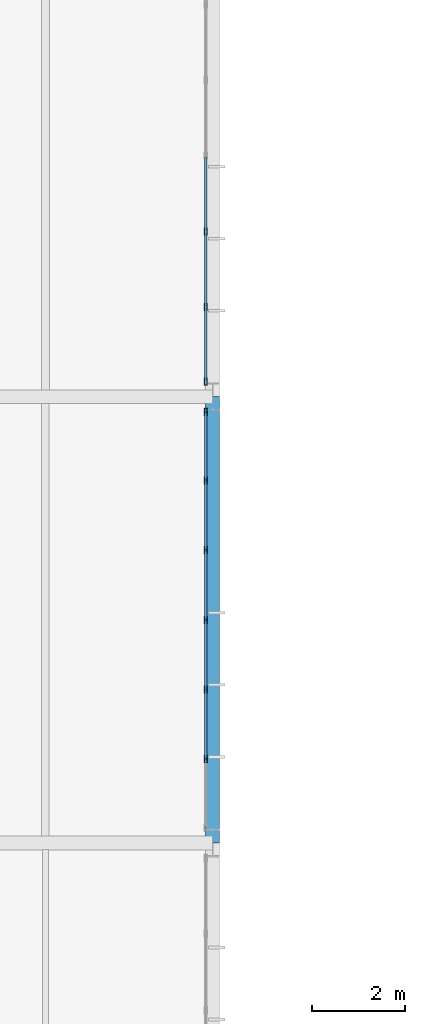
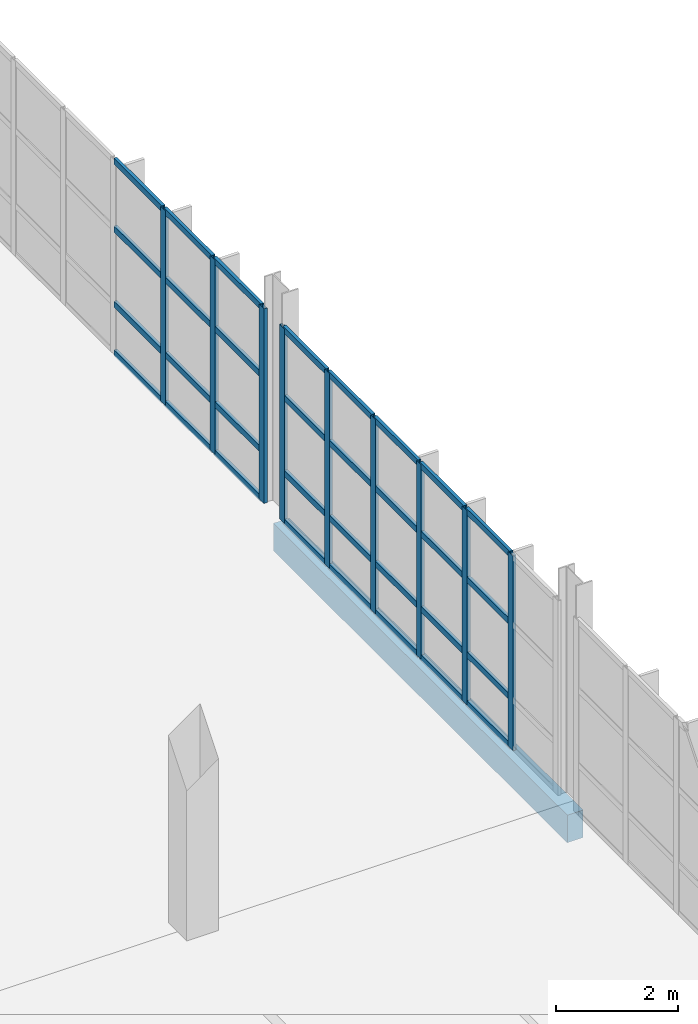
# One storey, part 94 of 130: 41 members, 1 beam, 2 elements without a shape of their own.
"""IFC4 building model written with IfcOpenShell, lengths in metres."""

from ifc_helpers import new_model, si_unit, direction, frame, origin, origin_2d, place, context, subcontext, project, spatial, rectangle, hollow_rectangle, extrude, material, material_profile, profile_set, type_object, element, aggregate, save


model = new_model("IFC4")

# Units and contexts
model_context = context("Model", 3, precision=1e-05, world=origin(), true_north=direction((0.0, 1.0)))
body_context = subcontext(model_context, "Body", "Model", "MODEL_VIEW")
ifc_project = project(units=[si_unit("LENGTHUNIT", "METRE"), si_unit("AREAUNIT", "SQUARE_METRE"), si_unit("VOLUMEUNIT", "CUBIC_METRE"), si_unit("PLANEANGLEUNIT", "RADIAN"), si_unit("MASSUNIT", "GRAM", prefix="KILO")], contexts=[model_context])

# Site, building, storey
site_placement = place(None, origin())
site = spatial("IfcSite", under=ifc_project, at=site_placement, CompositionType="ELEMENT")
building_placement = place(site_placement, origin())
building = spatial("IfcBuilding", under=site, at=building_placement, Name="Veltarok Museum of Natural Sciences", CompositionType="ELEMENT")
storey_placement = place(building_placement, frame((0.0, 0.0, 12.89990234375)))
storey = spatial("IfcBuildingStorey", under=building, at=storey_placement, Name="L02", CompositionType="ELEMENT", Elevation=12.89990234375)

# Curtain wall, members
ifc_material_1 = material(Name="Low-iron triple insulated glass", Category="glass")
curtain_wall_type_1 = type_object("IfcCurtainWallType", Name="Curtain Wall System CW-V5E-L02-D-900x388 (V5 East Lab L02 D-E 900x388cm)", PredefinedType="NOTDEFINED", material=ifc_material_1)
curtain_wall_1_placement = place(storey_placement, origin())
curtain_wall_1 = element("IfcCurtainWall", 1, at=curtain_wall_1_placement, inside=storey, type_object=curtain_wall_type_1, Name="Curtain Wall CW-V5E-L02-D-900x388 CW-0111", PredefinedType="NOTDEFINED")
ifc_material_2 = material(Name="Thermally broken anodised aluminium", Category="aluminium")
ifc_material_profile_1 = material_profile(ifc_material_2, hollow_rectangle(XDim=0.06005859375, YDim=0.1201171875, WallThickness=0.0048828125, at=origin_2d()), Name="CW TRANSOM 60x120x5")
ifc_profile_set_1 = profile_set([ifc_material_profile_1], Name="Thermally broken anodised aluminium")
member_type_1 = type_object("IfcMemberType", Name="Curtain Wall Horizontal Transom 60x120x5", PredefinedType="USERDEFINED", material=ifc_profile_set_1)
member_1_placement = place(storey_placement, frame((164.64990234375, 28.22998046875, 0.030029296875), z_axis=(0.0, 1.0, 0.0), x_axis=(-1.0, 0.0, 0.0)))
member_1 = element("IfcMember", 2, at=member_1_placement, type_object=member_type_1, Name="CW-V5E-L02-D-900x388 transom 2.1", ObjectType="TRANSOM", PredefinedType="USERDEFINED", context=body_context, shape_type="SweptSolid", body=[
    extrude(hollow_rectangle(XDim=0.06005859375, YDim=0.1201171875, WallThickness=0.0048828125, at=origin_2d()), origin(), (0.0, 0.0, 1.0), 1.43994140625),
])
member_2_placement = place(storey_placement, frame((164.64990234375, 28.22998046875, 1.0), z_axis=(0.0, 1.0, 0.0), x_axis=(-1.0, 0.0, 0.0)))
member_2 = element("IfcMember", 3, at=member_2_placement, type_object=member_type_1, Name="CW-V5E-L02-D-900x388 transom 2.2", ObjectType="TRANSOM", PredefinedType="USERDEFINED", context=body_context, shape_type="SweptSolid", body=[
    extrude(hollow_rectangle(XDim=0.06005859375, YDim=0.1201171875, WallThickness=0.0048828125, at=origin_2d()), origin(), (0.0, 0.0, 1.0), 1.43994140625),
])
member_3_placement = place(storey_placement, frame((164.64990234375, 28.22998046875, 2.5), z_axis=(0.0, 1.0, 0.0), x_axis=(-1.0, 0.0, 0.0)))
member_3 = element("IfcMember", 4, at=member_3_placement, type_object=member_type_1, Name="CW-V5E-L02-D-900x388 transom 2.3", ObjectType="TRANSOM", PredefinedType="USERDEFINED", context=body_context, shape_type="SweptSolid", body=[
    extrude(hollow_rectangle(XDim=0.06005859375, YDim=0.1201171875, WallThickness=0.0048828125, at=origin_2d()), origin(), (0.0, 0.0, 1.0), 1.43994140625),
])
member_4_placement = place(storey_placement, frame((164.64990234375, 28.22998046875, 3.85009765625), z_axis=(0.0, 1.0, 0.0), x_axis=(-1.0, 0.0, 0.0)))
member_4 = element("IfcMember", 5, at=member_4_placement, type_object=member_type_1, Name="CW-V5E-L02-D-900x388 transom 2.4", ObjectType="TRANSOM", PredefinedType="USERDEFINED", context=body_context, shape_type="SweptSolid", body=[
    extrude(hollow_rectangle(XDim=0.06005859375, YDim=0.1201171875, WallThickness=0.0048828125, at=origin_2d()), origin(), (0.0, 0.0, 1.0), 1.43994140625),
])
member_5_placement = place(storey_placement, frame((164.64990234375, 29.72998046875, 0.030029296875), z_axis=(0.0, 1.0, 0.0), x_axis=(-1.0, 0.0, 0.0)))
member_5 = element("IfcMember", 6, at=member_5_placement, type_object=member_type_1, Name="CW-V5E-L02-D-900x388 transom 3.1", ObjectType="TRANSOM", PredefinedType="USERDEFINED", context=body_context, shape_type="SweptSolid", body=[
    extrude(hollow_rectangle(XDim=0.06005859375, YDim=0.1201171875, WallThickness=0.0048828125, at=origin_2d()), origin(), (0.0, 0.0, 1.0), 1.43994140625),
])
member_6_placement = place(storey_placement, frame((164.64990234375, 29.72998046875, 1.0), z_axis=(0.0, 1.0, 0.0), x_axis=(-1.0, 0.0, 0.0)))
member_6 = element("IfcMember", 7, at=member_6_placement, type_object=member_type_1, Name="CW-V5E-L02-D-900x388 transom 3.2", ObjectType="TRANSOM", PredefinedType="USERDEFINED", context=body_context, shape_type="SweptSolid", body=[
    extrude(hollow_rectangle(XDim=0.06005859375, YDim=0.1201171875, WallThickness=0.0048828125, at=origin_2d()), origin(), (0.0, 0.0, 1.0), 1.43994140625),
])
member_7_placement = place(storey_placement, frame((164.64990234375, 29.72998046875, 2.5), z_axis=(0.0, 1.0, 0.0), x_axis=(-1.0, 0.0, 0.0)))
member_7 = element("IfcMember", 8, at=member_7_placement, type_object=member_type_1, Name="CW-V5E-L02-D-900x388 transom 3.3", ObjectType="TRANSOM", PredefinedType="USERDEFINED", context=body_context, shape_type="SweptSolid", body=[
    extrude(hollow_rectangle(XDim=0.06005859375, YDim=0.1201171875, WallThickness=0.0048828125, at=origin_2d()), origin(), (0.0, 0.0, 1.0), 1.43994140625),
])
member_8_placement = place(storey_placement, frame((164.64990234375, 29.72998046875, 3.85009765625), z_axis=(0.0, 1.0, 0.0), x_axis=(-1.0, 0.0, 0.0)))
member_8 = element("IfcMember", 9, at=member_8_placement, type_object=member_type_1, Name="CW-V5E-L02-D-900x388 transom 3.4", ObjectType="TRANSOM", PredefinedType="USERDEFINED", context=body_context, shape_type="SweptSolid", body=[
    extrude(hollow_rectangle(XDim=0.06005859375, YDim=0.1201171875, WallThickness=0.0048828125, at=origin_2d()), origin(), (0.0, 0.0, 1.0), 1.43994140625),
])
member_9_placement = place(storey_placement, frame((164.64990234375, 31.22998046875, 0.030029296875), z_axis=(0.0, 1.0, 0.0), x_axis=(-1.0, 0.0, 0.0)))
member_9 = element("IfcMember", 10, at=member_9_placement, type_object=member_type_1, Name="CW-V5E-L02-D-900x388 transom 4.1", ObjectType="TRANSOM", PredefinedType="USERDEFINED", context=body_context, shape_type="SweptSolid", body=[
    extrude(hollow_rectangle(XDim=0.06005859375, YDim=0.1201171875, WallThickness=0.0048828125, at=origin_2d()), origin(), (0.0, 0.0, 1.0), 1.43994140625),
])
member_10_placement = place(storey_placement, frame((164.64990234375, 31.22998046875, 1.0), z_axis=(0.0, 1.0, 0.0), x_axis=(-1.0, 0.0, 0.0)))
member_10 = element("IfcMember", 11, at=member_10_placement, type_object=member_type_1, Name="CW-V5E-L02-D-900x388 transom 4.2", ObjectType="TRANSOM", PredefinedType="USERDEFINED", context=body_context, shape_type="SweptSolid", body=[
    extrude(hollow_rectangle(XDim=0.06005859375, YDim=0.1201171875, WallThickness=0.0048828125, at=origin_2d()), origin(), (0.0, 0.0, 1.0), 1.43994140625),
])
member_11_placement = place(storey_placement, frame((164.64990234375, 31.22998046875, 2.5), z_axis=(0.0, 1.0, 0.0), x_axis=(-1.0, 0.0, 0.0)))
member_11 = element("IfcMember", 12, at=member_11_placement, type_object=member_type_1, Name="CW-V5E-L02-D-900x388 transom 4.3", ObjectType="TRANSOM", PredefinedType="USERDEFINED", context=body_context, shape_type="SweptSolid", body=[
    extrude(hollow_rectangle(XDim=0.06005859375, YDim=0.1201171875, WallThickness=0.0048828125, at=origin_2d()), origin(), (0.0, 0.0, 1.0), 1.43994140625),
])
member_12_placement = place(storey_placement, frame((164.64990234375, 31.22998046875, 3.85009765625), z_axis=(0.0, 1.0, 0.0), x_axis=(-1.0, 0.0, 0.0)))
member_12 = element("IfcMember", 13, at=member_12_placement, type_object=member_type_1, Name="CW-V5E-L02-D-900x388 transom 4.4", ObjectType="TRANSOM", PredefinedType="USERDEFINED", context=body_context, shape_type="SweptSolid", body=[
    extrude(hollow_rectangle(XDim=0.06005859375, YDim=0.1201171875, WallThickness=0.0048828125, at=origin_2d()), origin(), (0.0, 0.0, 1.0), 1.43994140625),
])
member_13_placement = place(storey_placement, frame((164.64990234375, 32.72998046875, 0.030029296875), z_axis=(0.0, 1.0, 0.0), x_axis=(-1.0, 0.0, 0.0)))
member_13 = element("IfcMember", 14, at=member_13_placement, type_object=member_type_1, Name="CW-V5E-L02-D-900x388 transom 5.1", ObjectType="TRANSOM", PredefinedType="USERDEFINED", context=body_context, shape_type="SweptSolid", body=[
    extrude(hollow_rectangle(XDim=0.06005859375, YDim=0.1201171875, WallThickness=0.0048828125, at=origin_2d()), origin(), (0.0, 0.0, 1.0), 1.43994140625),
])
member_14_placement = place(storey_placement, frame((164.64990234375, 32.72998046875, 1.0), z_axis=(0.0, 1.0, 0.0), x_axis=(-1.0, 0.0, 0.0)))
member_14 = element("IfcMember", 15, at=member_14_placement, type_object=member_type_1, Name="CW-V5E-L02-D-900x388 transom 5.2", ObjectType="TRANSOM", PredefinedType="USERDEFINED", context=body_context, shape_type="SweptSolid", body=[
    extrude(hollow_rectangle(XDim=0.06005859375, YDim=0.1201171875, WallThickness=0.0048828125, at=origin_2d()), origin(), (0.0, 0.0, 1.0), 1.43994140625),
])
member_15_placement = place(storey_placement, frame((164.64990234375, 32.72998046875, 2.5), z_axis=(0.0, 1.0, 0.0), x_axis=(-1.0, 0.0, 0.0)))
member_15 = element("IfcMember", 16, at=member_15_placement, type_object=member_type_1, Name="CW-V5E-L02-D-900x388 transom 5.3", ObjectType="TRANSOM", PredefinedType="USERDEFINED", context=body_context, shape_type="SweptSolid", body=[
    extrude(hollow_rectangle(XDim=0.06005859375, YDim=0.1201171875, WallThickness=0.0048828125, at=origin_2d()), origin(), (0.0, 0.0, 1.0), 1.43994140625),
])
member_16_placement = place(storey_placement, frame((164.64990234375, 32.72998046875, 3.85009765625), z_axis=(0.0, 1.0, 0.0), x_axis=(-1.0, 0.0, 0.0)))
member_16 = element("IfcMember", 17, at=member_16_placement, type_object=member_type_1, Name="CW-V5E-L02-D-900x388 transom 5.4", ObjectType="TRANSOM", PredefinedType="USERDEFINED", context=body_context, shape_type="SweptSolid", body=[
    extrude(hollow_rectangle(XDim=0.06005859375, YDim=0.1201171875, WallThickness=0.0048828125, at=origin_2d()), origin(), (0.0, 0.0, 1.0), 1.43994140625),
])
member_17_placement = place(storey_placement, frame((164.64990234375, 34.22998046875, 0.030029296875), z_axis=(0.0, 1.0, 0.0), x_axis=(-1.0, 0.0, 0.0)))
member_17 = element("IfcMember", 18, at=member_17_placement, type_object=member_type_1, Name="CW-V5E-L02-D-900x388 transom 6.1", ObjectType="TRANSOM", PredefinedType="USERDEFINED", context=body_context, shape_type="SweptSolid", body=[
    extrude(hollow_rectangle(XDim=0.06005859375, YDim=0.1201171875, WallThickness=0.0048828125, at=origin_2d()), origin(), (0.0, 0.0, 1.0), 1.409912109375),
])
member_18_placement = place(storey_placement, frame((164.64990234375, 34.22998046875, 1.0), z_axis=(0.0, 1.0, 0.0), x_axis=(-1.0, 0.0, 0.0)))
member_18 = element("IfcMember", 19, at=member_18_placement, type_object=member_type_1, Name="CW-V5E-L02-D-900x388 transom 6.2", ObjectType="TRANSOM", PredefinedType="USERDEFINED", context=body_context, shape_type="SweptSolid", body=[
    extrude(hollow_rectangle(XDim=0.06005859375, YDim=0.1201171875, WallThickness=0.0048828125, at=origin_2d()), origin(), (0.0, 0.0, 1.0), 1.409912109375),
])
member_19_placement = place(storey_placement, frame((164.64990234375, 34.22998046875, 2.5), z_axis=(0.0, 1.0, 0.0), x_axis=(-1.0, 0.0, 0.0)))
member_19 = element("IfcMember", 20, at=member_19_placement, type_object=member_type_1, Name="CW-V5E-L02-D-900x388 transom 6.3", ObjectType="TRANSOM", PredefinedType="USERDEFINED", context=body_context, shape_type="SweptSolid", body=[
    extrude(hollow_rectangle(XDim=0.06005859375, YDim=0.1201171875, WallThickness=0.0048828125, at=origin_2d()), origin(), (0.0, 0.0, 1.0), 1.409912109375),
])
member_20_placement = place(storey_placement, frame((164.64990234375, 34.22998046875, 3.85009765625), z_axis=(0.0, 1.0, 0.0), x_axis=(-1.0, 0.0, 0.0)))
member_20 = element("IfcMember", 21, at=member_20_placement, type_object=member_type_1, Name="CW-V5E-L02-D-900x388 transom 6.4", ObjectType="TRANSOM", PredefinedType="USERDEFINED", context=body_context, shape_type="SweptSolid", body=[
    extrude(hollow_rectangle(XDim=0.06005859375, YDim=0.1201171875, WallThickness=0.0048828125, at=origin_2d()), origin(), (0.0, 0.0, 1.0), 1.409912109375),
])

curtain_wall_type_2 = type_object("IfcCurtainWallType", Name="Curtain Wall System CW-V5E-L02-E-1140x388 (V5 East Lab L02 E-F 1140x388cm)", PredefinedType="NOTDEFINED", material=ifc_material_1)
curtain_wall_2_placement = place(storey_placement, origin())
curtain_wall_2 = element("IfcCurtainWall", 22, at=curtain_wall_2_placement, inside=storey, type_object=curtain_wall_type_2, Name="Curtain Wall CW-V5E-L02-E-1140x388 CW-0112", PredefinedType="NOTDEFINED")
member_21_placement = place(storey_placement, frame((164.64990234375, 36.360107421875, 0.030029296875), z_axis=(0.0, 1.0, 0.0), x_axis=(-1.0, 0.0, 0.0)))
member_21 = element("IfcMember", 23, at=member_21_placement, type_object=member_type_1, Name="CW-V5E-L02-E-1140x388 transom 1.1", ObjectType="TRANSOM", PredefinedType="USERDEFINED", context=body_context, shape_type="SweptSolid", body=[
    extrude(hollow_rectangle(XDim=0.06005859375, YDim=0.1201171875, WallThickness=0.0048828125, at=origin_2d()), origin(), (0.0, 0.0, 1.0), 1.53857421875),
])
member_22_placement = place(storey_placement, frame((164.64990234375, 36.360107421875, 1.0), z_axis=(0.0, 1.0, 0.0), x_axis=(-1.0, 0.0, 0.0)))
member_22 = element("IfcMember", 24, at=member_22_placement, type_object=member_type_1, Name="CW-V5E-L02-E-1140x388 transom 1.2", ObjectType="TRANSOM", PredefinedType="USERDEFINED", context=body_context, shape_type="SweptSolid", body=[
    extrude(hollow_rectangle(XDim=0.06005859375, YDim=0.1201171875, WallThickness=0.0048828125, at=origin_2d()), origin(), (0.0, 0.0, 1.0), 1.53857421875),
])
member_23_placement = place(storey_placement, frame((164.64990234375, 36.360107421875, 2.5), z_axis=(0.0, 1.0, 0.0), x_axis=(-1.0, 0.0, 0.0)))
member_23 = element("IfcMember", 25, at=member_23_placement, type_object=member_type_1, Name="CW-V5E-L02-E-1140x388 transom 1.3", ObjectType="TRANSOM", PredefinedType="USERDEFINED", context=body_context, shape_type="SweptSolid", body=[
    extrude(hollow_rectangle(XDim=0.06005859375, YDim=0.1201171875, WallThickness=0.0048828125, at=origin_2d()), origin(), (0.0, 0.0, 1.0), 1.53857421875),
])
member_24_placement = place(storey_placement, frame((164.64990234375, 36.360107421875, 3.85009765625), z_axis=(0.0, 1.0, 0.0), x_axis=(-1.0, 0.0, 0.0)))
member_24 = element("IfcMember", 26, at=member_24_placement, type_object=member_type_1, Name="CW-V5E-L02-E-1140x388 transom 1.4", ObjectType="TRANSOM", PredefinedType="USERDEFINED", context=body_context, shape_type="SweptSolid", body=[
    extrude(hollow_rectangle(XDim=0.06005859375, YDim=0.1201171875, WallThickness=0.0048828125, at=origin_2d()), origin(), (0.0, 0.0, 1.0), 1.53857421875),
])
member_25_placement = place(storey_placement, frame((164.64990234375, 37.95849609375, 0.030029296875), z_axis=(0.0, 1.0, 0.0), x_axis=(-1.0, 0.0, 0.0)))
member_25 = element("IfcMember", 27, at=member_25_placement, type_object=member_type_1, Name="CW-V5E-L02-E-1140x388 transom 2.1", ObjectType="TRANSOM", PredefinedType="USERDEFINED", context=body_context, shape_type="SweptSolid", body=[
    extrude(hollow_rectangle(XDim=0.06005859375, YDim=0.1201171875, WallThickness=0.0048828125, at=origin_2d()), origin(), (0.0, 0.0, 1.0), 1.568603515625),
])
member_26_placement = place(storey_placement, frame((164.64990234375, 37.95849609375, 1.0), z_axis=(0.0, 1.0, 0.0), x_axis=(-1.0, 0.0, 0.0)))
member_26 = element("IfcMember", 28, at=member_26_placement, type_object=member_type_1, Name="CW-V5E-L02-E-1140x388 transom 2.2", ObjectType="TRANSOM", PredefinedType="USERDEFINED", context=body_context, shape_type="SweptSolid", body=[
    extrude(hollow_rectangle(XDim=0.06005859375, YDim=0.1201171875, WallThickness=0.0048828125, at=origin_2d()), origin(), (0.0, 0.0, 1.0), 1.568603515625),
])
member_27_placement = place(storey_placement, frame((164.64990234375, 37.95849609375, 2.5), z_axis=(0.0, 1.0, 0.0), x_axis=(-1.0, 0.0, 0.0)))
member_27 = element("IfcMember", 29, at=member_27_placement, type_object=member_type_1, Name="CW-V5E-L02-E-1140x388 transom 2.3", ObjectType="TRANSOM", PredefinedType="USERDEFINED", context=body_context, shape_type="SweptSolid", body=[
    extrude(hollow_rectangle(XDim=0.06005859375, YDim=0.1201171875, WallThickness=0.0048828125, at=origin_2d()), origin(), (0.0, 0.0, 1.0), 1.568603515625),
])
member_28_placement = place(storey_placement, frame((164.64990234375, 37.95849609375, 3.85009765625), z_axis=(0.0, 1.0, 0.0), x_axis=(-1.0, 0.0, 0.0)))
member_28 = element("IfcMember", 30, at=member_28_placement, type_object=member_type_1, Name="CW-V5E-L02-E-1140x388 transom 2.4", ObjectType="TRANSOM", PredefinedType="USERDEFINED", context=body_context, shape_type="SweptSolid", body=[
    extrude(hollow_rectangle(XDim=0.06005859375, YDim=0.1201171875, WallThickness=0.0048828125, at=origin_2d()), origin(), (0.0, 0.0, 1.0), 1.568603515625),
])
member_29_placement = place(storey_placement, frame((164.64990234375, 39.587158203125, 0.030029296875), z_axis=(0.0, 1.0, 0.0), x_axis=(-1.0, 0.0, 0.0)))
member_29 = element("IfcMember", 31, at=member_29_placement, type_object=member_type_1, Name="CW-V5E-L02-E-1140x388 transom 3.1", ObjectType="TRANSOM", PredefinedType="USERDEFINED", context=body_context, shape_type="SweptSolid", body=[
    extrude(hollow_rectangle(XDim=0.06005859375, YDim=0.1201171875, WallThickness=0.0048828125, at=origin_2d()), origin(), (0.0, 0.0, 1.0), 1.568603515625),
])
member_30_placement = place(storey_placement, frame((164.64990234375, 39.587158203125, 1.0), z_axis=(0.0, 1.0, 0.0), x_axis=(-1.0, 0.0, 0.0)))
member_30 = element("IfcMember", 32, at=member_30_placement, type_object=member_type_1, Name="CW-V5E-L02-E-1140x388 transom 3.2", ObjectType="TRANSOM", PredefinedType="USERDEFINED", context=body_context, shape_type="SweptSolid", body=[
    extrude(hollow_rectangle(XDim=0.06005859375, YDim=0.1201171875, WallThickness=0.0048828125, at=origin_2d()), origin(), (0.0, 0.0, 1.0), 1.568603515625),
])
member_31_placement = place(storey_placement, frame((164.64990234375, 39.587158203125, 2.5), z_axis=(0.0, 1.0, 0.0), x_axis=(-1.0, 0.0, 0.0)))
member_31 = element("IfcMember", 33, at=member_31_placement, type_object=member_type_1, Name="CW-V5E-L02-E-1140x388 transom 3.3", ObjectType="TRANSOM", PredefinedType="USERDEFINED", context=body_context, shape_type="SweptSolid", body=[
    extrude(hollow_rectangle(XDim=0.06005859375, YDim=0.1201171875, WallThickness=0.0048828125, at=origin_2d()), origin(), (0.0, 0.0, 1.0), 1.568603515625),
])
member_32_placement = place(storey_placement, frame((164.64990234375, 39.587158203125, 3.85009765625), z_axis=(0.0, 1.0, 0.0), x_axis=(-1.0, 0.0, 0.0)))
member_32 = element("IfcMember", 34, at=member_32_placement, type_object=member_type_1, Name="CW-V5E-L02-E-1140x388 transom 3.4", ObjectType="TRANSOM", PredefinedType="USERDEFINED", context=body_context, shape_type="SweptSolid", body=[
    extrude(hollow_rectangle(XDim=0.06005859375, YDim=0.1201171875, WallThickness=0.0048828125, at=origin_2d()), origin(), (0.0, 0.0, 1.0), 1.568603515625),
])

# Member
ifc_material_profile_2 = material_profile(ifc_material_2, hollow_rectangle(XDim=0.06005859375, YDim=0.159912109375, WallThickness=0.0048828125, at=origin_2d()), Name="CW MULLION 60x160x5")
ifc_profile_set_2 = profile_set([ifc_material_profile_2], Name="Thermally broken anodised aluminium")
member_type_2 = type_object("IfcMemberType", Name="Curtain Wall Vertical Mullion 60x160x5", PredefinedType="MULLION", material=ifc_profile_set_2)
member_33_placement = place(storey_placement, frame((164.64990234375, 28.199951171875, 0.0), z_axis=(0.0, 0.0, 1.0), x_axis=(-1.0, 0.0, 0.0)))
member_33 = element("IfcMember", 35, at=member_33_placement, type_object=member_type_2, Name="CW-V5E-L02-D-900x388 mullion 2", PredefinedType="MULLION", context=body_context, shape_type="SweptSolid", body=[
    extrude(hollow_rectangle(XDim=0.06005859375, YDim=0.159912109375, WallThickness=0.0048828125, at=origin_2d()), origin(), (0.0, 0.0, 1.0), 3.880126953125),
])

member_34_placement = place(storey_placement, frame((164.64990234375, 29.699951171875, 0.0), z_axis=(0.0, 0.0, 1.0), x_axis=(-1.0, 0.0, 0.0)))
member_34 = element("IfcMember", 36, at=member_34_placement, type_object=member_type_2, Name="CW-V5E-L02-D-900x388 mullion 3", PredefinedType="MULLION", context=body_context, shape_type="SweptSolid", body=[
    extrude(hollow_rectangle(XDim=0.06005859375, YDim=0.159912109375, WallThickness=0.0048828125, at=origin_2d()), origin(), (0.0, 0.0, 1.0), 3.880126953125),
])

member_35_placement = place(storey_placement, frame((164.64990234375, 31.199951171875, 0.0), z_axis=(0.0, 0.0, 1.0), x_axis=(-1.0, 0.0, 0.0)))
member_35 = element("IfcMember", 37, at=member_35_placement, type_object=member_type_2, Name="CW-V5E-L02-D-900x388 mullion 4", PredefinedType="MULLION", context=body_context, shape_type="SweptSolid", body=[
    extrude(hollow_rectangle(XDim=0.06005859375, YDim=0.159912109375, WallThickness=0.0048828125, at=origin_2d()), origin(), (0.0, 0.0, 1.0), 3.880126953125),
])

member_36_placement = place(storey_placement, frame((164.64990234375, 32.699951171875, 0.0), z_axis=(0.0, 0.0, 1.0), x_axis=(-1.0, 0.0, 0.0)))
member_36 = element("IfcMember", 38, at=member_36_placement, type_object=member_type_2, Name="CW-V5E-L02-D-900x388 mullion 5", PredefinedType="MULLION", context=body_context, shape_type="SweptSolid", body=[
    extrude(hollow_rectangle(XDim=0.06005859375, YDim=0.159912109375, WallThickness=0.0048828125, at=origin_2d()), origin(), (0.0, 0.0, 1.0), 3.880126953125),
])

member_37_placement = place(storey_placement, frame((164.64990234375, 34.199951171875, 0.0), z_axis=(0.0, 0.0, 1.0), x_axis=(-1.0, 0.0, 0.0)))
member_37 = element("IfcMember", 39, at=member_37_placement, type_object=member_type_2, Name="CW-V5E-L02-D-900x388 mullion 6", PredefinedType="MULLION", context=body_context, shape_type="SweptSolid", body=[
    extrude(hollow_rectangle(XDim=0.06005859375, YDim=0.159912109375, WallThickness=0.0048828125, at=origin_2d()), origin(), (0.0, 0.0, 1.0), 3.880126953125),
])

member_38_placement = place(storey_placement, frame((164.64990234375, 35.669921875, 0.0), z_axis=(0.0, 0.0, 1.0), x_axis=(-1.0, 0.0, 0.0)))
member_38 = element("IfcMember", 40, at=member_38_placement, type_object=member_type_2, Name="CW-V5E-L02-D-900x388 mullion 7", PredefinedType="MULLION", context=body_context, shape_type="SweptSolid", body=[
    extrude(hollow_rectangle(XDim=0.06005859375, YDim=0.159912109375, WallThickness=0.0048828125, at=origin_2d()), origin(), (0.0, 0.0, 1.0), 3.880126953125),
])

aggregate(curtain_wall_1, [member_33, member_34, member_35, member_36, member_37, member_38, member_1, member_2, member_3, member_4, member_5, member_6, member_7, member_8, member_9, member_10, member_11, member_12, member_13, member_14, member_15, member_16, member_17, member_18, member_19, member_20])

member_39_placement = place(storey_placement, frame((164.64990234375, 36.330078125, 0.0), z_axis=(0.0, 0.0, 1.0), x_axis=(-1.0, 0.0, 0.0)))
member_39 = element("IfcMember", 41, at=member_39_placement, type_object=member_type_2, Name="CW-V5E-L02-E-1140x388 mullion 1", PredefinedType="MULLION", context=body_context, shape_type="SweptSolid", body=[
    extrude(hollow_rectangle(XDim=0.06005859375, YDim=0.159912109375, WallThickness=0.0048828125, at=origin_2d()), origin(), (0.0, 0.0, 1.0), 3.880126953125),
])

member_40_placement = place(storey_placement, frame((164.64990234375, 37.928466796875, 0.0), z_axis=(0.0, 0.0, 1.0), x_axis=(-1.0, 0.0, 0.0)))
member_40 = element("IfcMember", 42, at=member_40_placement, type_object=member_type_2, Name="CW-V5E-L02-E-1140x388 mullion 2", PredefinedType="MULLION", context=body_context, shape_type="SweptSolid", body=[
    extrude(hollow_rectangle(XDim=0.06005859375, YDim=0.159912109375, WallThickness=0.0048828125, at=origin_2d()), origin(), (0.0, 0.0, 1.0), 3.880126953125),
])

member_41_placement = place(storey_placement, frame((164.64990234375, 39.55712890625, 0.0), z_axis=(0.0, 0.0, 1.0), x_axis=(-1.0, 0.0, 0.0)))
member_41 = element("IfcMember", 43, at=member_41_placement, type_object=member_type_2, Name="CW-V5E-L02-E-1140x388 mullion 3", PredefinedType="MULLION", context=body_context, shape_type="SweptSolid", body=[
    extrude(hollow_rectangle(XDim=0.06005859375, YDim=0.159912109375, WallThickness=0.0048828125, at=origin_2d()), origin(), (0.0, 0.0, 1.0), 3.880126953125),
])

aggregate(curtain_wall_2, [member_39, member_40, member_41, member_21, member_22, member_23, member_24, member_25, member_26, member_27, member_28, member_29, member_30, member_31, member_32])

# Beam
ifc_material_3 = material(Name="Precast concrete C40/50", Category="concrete")
ifc_material_profile_3 = material_profile(ifc_material_3, rectangle(XDim=0.300048828125, YDim=0.550048828125, at=origin_2d()), Name="RC 300x550")
ifc_profile_set_3 = profile_set([ifc_material_profile_3], Name="Precast concrete C40/50")
beam_type = type_object("IfcBeamType", Name="East Wing Precast Spandrel RC 300x550", PredefinedType="SPANDREL", material=ifc_profile_set_3)
beam_placement = place(storey_placement, frame((164.800048828125, 26.39990234375, -0.52490234375), z_axis=(0.0, 1.0, 0.0), x_axis=(-1.0, 0.0, 0.0)))
element("IfcBeam", 44, at=beam_placement, inside=storey, type_object=beam_type, Name="Beam BM-SP02 L02 20/D-E", PredefinedType="SPANDREL", context=body_context, shape_type="SweptSolid", body=[
    extrude(rectangle(XDim=0.300048828125, YDim=0.550048828125, at=origin_2d()), origin(), (0.0, 0.0, 1.0), 9.60009765625),
])

save(model, "model.ifc")
